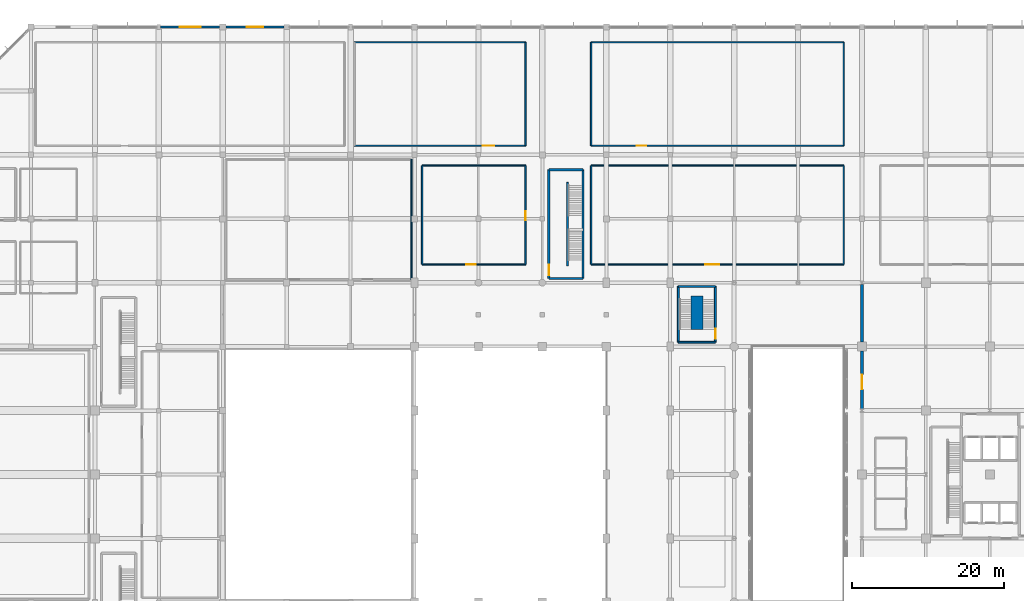
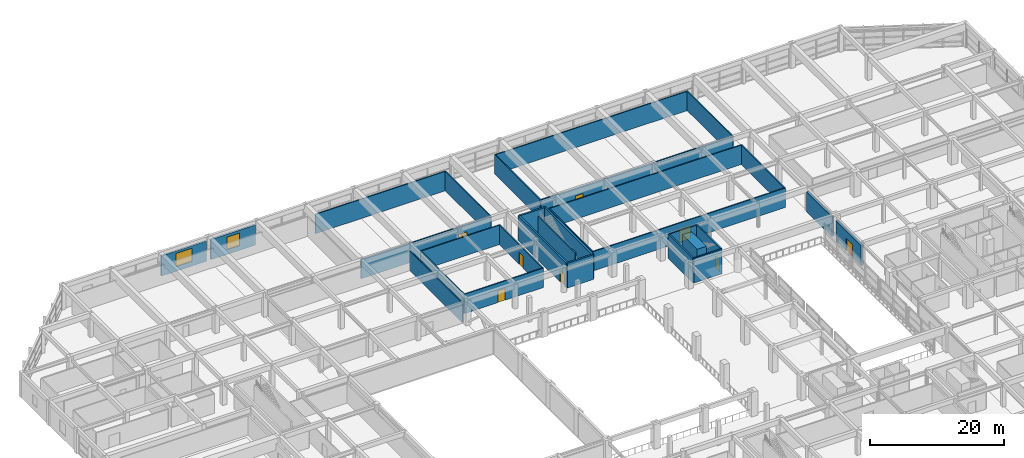
# One storey, part 54 of 65: 30 walls, 8 doors, 2 windows, 10 openings.
"""IFC4 building model written with IfcOpenShell, lengths in metres."""

from ifc_helpers import new_model, si_unit, direction, frame, frame_2d, origin, place, context, subcontext, project, spatial, rectangle, extrude, material, layer, layer_set, type_object, element, fill, save


model = new_model("IFC4")

# Units and contexts
model_context = context("Model", 3, precision=1e-05, world=origin(), true_north=direction((0.0, 1.0)))
body_context = subcontext(model_context, "Body", "Model", "MODEL_VIEW")
ifc_project = project(units=[si_unit("LENGTHUNIT", "METRE"), si_unit("AREAUNIT", "SQUARE_METRE"), si_unit("VOLUMEUNIT", "CUBIC_METRE"), si_unit("PLANEANGLEUNIT", "RADIAN"), si_unit("MASSUNIT", "GRAM", prefix="KILO")], contexts=[model_context])

# Site, building, storey
site_placement = place(None, origin())
site = spatial("IfcSite", under=ifc_project, at=site_placement, CompositionType="ELEMENT")
building_placement = place(site_placement, origin())
building = spatial("IfcBuilding", under=site, at=building_placement, Name="Xuanlan Plaza Opera House", CompositionType="ELEMENT")
storey_placement = place(building_placement, frame((0.0, 0.0, 5.39990234375)))
storey = spatial("IfcBuildingStorey", under=building, at=storey_placement, Name="L01", CompositionType="ELEMENT", Elevation=5.39990234375)

# Wall, opening, window
ifc_material_1 = material(Name="Anodised Aluminium 6063-T6 and Rockwool Cladding", Category="aluminium")
ifc_layer_1 = layer(ifc_material_1, 0.31005859375)
ifc_layer_set_1 = layer_set([ifc_layer_1], Name="Anodised Aluminium 6063-T6 and Rockwool Cladding")
wall_type_1 = type_object("IfcWallType", Name="ENV-WL-EW-04", PredefinedType="STANDARD", material=ifc_layer_set_1)
wall_1_placement = place(storey_placement, frame((50.050048828125, 117.60009765625, 0.0), z_axis=(0.0, 0.0, 1.0), x_axis=(-1.0, 0.0, 0.0)))
wall_1 = element("IfcWall", 1, at=wall_1_placement, inside=storey, type_object=wall_type_1, Name="Exterior Wall L01-043", PredefinedType="STANDARD", context=body_context, shape_type="SweptSolid", body=[
    extrude(rectangle(XDim=7.650146484375, YDim=0.31005859375, at=frame_2d((3.8251953125, 0.0))), origin(), (0.0, 0.0, 1.0), 3.68017578125),
])
opening_1_placement = place(wall_1_placement, frame((2.72509765625, 0.0, 0.85009765625)))
opening_1 = element("IfcOpeningElement", 2, at=opening_1_placement, cuts=wall_1, Name="Opening WN-10", PredefinedType="OPENING", context=body_context, shape_type="SweptSolid", body=[
    extrude(rectangle(XDim=2.199951171875, YDim=2.300048828125, at=frame_2d((1.10009765625, 1.14990234375))), frame((0.0, 0.1650390625, 0.0), z_axis=(0.0, -1.0, 0.0), x_axis=(1.0, 0.0, 0.0)), (0.0, 0.0, 1.0), 0.330078125),
])
ifc_material_2 = material(Name="Anodised Aluminium 6063-T6 and Low-E Glass", Category="aluminium")
window_type_1 = type_object("IfcWindowType", Name="ENV-WN-WN-10", PartitioningType="DOUBLE_PANEL_VERTICAL", PredefinedType="WINDOW", material=ifc_material_2)
window_1_placement = place(opening_1_placement, origin())
window_1 = element("IfcWindow", 3, at=window_1_placement, inside=storey, type_object=window_type_1, Name="Facade Window L01-043", OverallHeight=2.300048828125, OverallWidth=2.199951171875, PartitioningType="DOUBLE_PANEL_VERTICAL", PredefinedType="WINDOW", context=body_context, shape_type="SweptSolid", body=[
    extrude(rectangle(XDim=2.199951171875, YDim=2.300048828125, at=frame_2d((1.10009765625, 1.14990234375))), frame((0.0, 0.030029296875, 0.0), z_axis=(0.0, -1.0, 0.0), x_axis=(1.0, 0.0, 0.0)), (0.0, 0.0, 1.0), 0.06005859375),
])
fill(opening_1, window_1)

ifc_layer_2 = layer(ifc_material_1, 0.2900390625)
ifc_layer_set_2 = layer_set([ifc_layer_2], Name="Anodised Aluminium 6063-T6 and Rockwool Cladding")
wall_type_2 = type_object("IfcWallType", Name="ENV-WL-EW-05", PredefinedType="STANDARD", material=ifc_layer_set_2)
wall_2_placement = place(storey_placement, frame((41.60009765625, 117.60009765625, 0.0), z_axis=(0.0, 0.0, 1.0), x_axis=(-1.0, 0.0, 0.0)))
wall_2 = element("IfcWall", 4, at=wall_2_placement, inside=storey, type_object=wall_type_2, Name="Exterior Wall L01-044", PredefinedType="STANDARD", context=body_context, shape_type="SweptSolid", body=[
    extrude(rectangle(XDim=7.775146484375, YDim=0.2900390625, at=frame_2d((3.8876953125, 0.0))), origin(), (0.0, 0.0, 1.0), 3.68017578125),
])
opening_2_placement = place(wall_2_placement, frame((2.487060546875, 0.0, 0.85009765625)))
opening_2 = element("IfcOpeningElement", 5, at=opening_2_placement, cuts=wall_2, Name="Opening WN-11", PredefinedType="OPENING", context=body_context, shape_type="SweptSolid", body=[
    extrude(rectangle(XDim=2.800048828125, YDim=2.39990234375, at=frame_2d((1.39990234375, 1.199951171875))), frame((0.0, 0.155029296875, 0.0), z_axis=(0.0, -1.0, 0.0), x_axis=(1.0, 0.0, 0.0)), (0.0, 0.0, 1.0), 0.31005859375),
])
window_type_2 = type_object("IfcWindowType", Name="ENV-WN-WN-11", PartitioningType="TRIPLE_PANEL_VERTICAL", PredefinedType="WINDOW", material=ifc_material_2)
window_2_placement = place(opening_2_placement, origin())
window_2 = element("IfcWindow", 6, at=window_2_placement, inside=storey, type_object=window_type_2, Name="Facade Window L01-044", OverallHeight=2.39990234375, OverallWidth=2.800048828125, PartitioningType="TRIPLE_PANEL_VERTICAL", PredefinedType="WINDOW", context=body_context, shape_type="SweptSolid", body=[
    extrude(rectangle(XDim=2.800048828125, YDim=2.39990234375, at=frame_2d((1.39990234375, 1.199951171875))), frame((0.0, 0.030029296875, 0.0), z_axis=(0.0, -1.0, 0.0), x_axis=(1.0, 0.0, 0.0)), (0.0, 0.0, 1.0), 0.06005859375),
])
fill(opening_2, window_2)

# Wall
ifc_material_3 = material(Name="Gypsum Board and Galvanised Steel Studs", Category="gypsum")
ifc_layer_3 = layer(ifc_material_3, 0.179931640625)
ifc_layer_set_3 = layer_set([ifc_layer_3], Name="Gypsum Board and Galvanised Steel Studs")
wall_type_3 = type_object("IfcWallType", Name="INT-WL-PW-02", PredefinedType="PARTITIONING", material=ifc_layer_set_3)
wall_3_placement = place(storey_placement, frame((66.800048828125, 84.39990234375, 0.0), z_axis=(0.0, 0.0, 1.0), x_axis=(0.0, 1.0, 0.0)))
element("IfcWall", 7, at=wall_3_placement, inside=storey, type_object=wall_type_3, Name="Chorus Dressing Room North Wall East", PredefinedType="PARTITIONING", context=body_context, shape_type="SweptSolid", body=[
    extrude(rectangle(XDim=15.800048828125, YDim=0.179931640625, at=frame_2d((7.89990234375, 0.0))), origin(), (0.0, 0.0, 1.0), 3.5400390625),
])

# Wall, opening, door
wall_4_placement = place(storey_placement, frame((59.300048828125, 102.0, 0.0), z_axis=(0.0, 0.0, 1.0), x_axis=(1.0, 0.0, 0.0)))
wall_4 = element("IfcWall", 8, at=wall_4_placement, inside=storey, type_object=wall_type_3, Name="Historical Opera Wardrobe Archive Wall South", PredefinedType="PARTITIONING", context=body_context, shape_type="SweptSolid", body=[
    extrude(rectangle(XDim=22.5, YDim=0.179931640625, at=frame_2d((11.25, 0.0))), origin(), (0.0, 0.0, 1.0), 3.5400390625),
])
opening_3_placement = place(wall_4_placement, frame((16.85009765625, 0.0, 0.0)))
opening_3 = element("IfcOpeningElement", 9, at=opening_3_placement, cuts=wall_4, Name="Opening D-03", PredefinedType="OPENING", context=body_context, shape_type="SweptSolid", body=[
    extrude(rectangle(XDim=1.5, YDim=2.199951171875, at=frame_2d((0.75, 1.10009765625))), frame((0.0, 0.099853515625, 0.0), z_axis=(0.0, -1.0, 0.0), x_axis=(1.0, 0.0, 0.0)), (0.0, 0.0, 1.0), 0.199951171875),
])
ifc_material_4 = material(Name="Walnut Hardwood Timber", Category="wood")
door_type_1 = type_object("IfcDoorType", Name="INT-DR-D-03", OperationType="DOUBLE_DOOR_SINGLE_SWING", PredefinedType="DOOR", material=ifc_material_4)
door_1_placement = place(opening_3_placement, origin())
door_1 = element("IfcDoor", 10, at=door_1_placement, inside=storey, type_object=door_type_1, Name="Historical Opera Wardrobe Archive Door 1", OperationType="DOUBLE_DOOR_SINGLE_SWING", OverallHeight=2.199951171875, OverallWidth=1.5, PredefinedType="DOOR", context=body_context, shape_type="SweptSolid", body=[
    extrude(rectangle(XDim=1.5, YDim=2.199951171875, at=frame_2d((0.75, 1.10009765625))), frame((0.0, 0.02490234375, 0.0), z_axis=(0.0, -1.0, 0.0), x_axis=(1.0, 0.0, 0.0)), (0.0, 0.0, 1.0), 0.050048828125),
])
fill(opening_3, door_1)

# Walls
wall_5_placement = place(storey_placement, frame((59.300048828125, 115.60009765625, 0.0), z_axis=(0.0, 0.0, 1.0), x_axis=(1.0, 0.0, 0.0)))
element("IfcWall", 11, at=wall_5_placement, inside=storey, type_object=wall_type_3, Name="Historical Opera Wardrobe Archive Wall North", PredefinedType="PARTITIONING", context=body_context, shape_type="SweptSolid", body=[
    extrude(rectangle(XDim=22.5, YDim=0.179931640625, at=frame_2d((11.25, 0.0))), origin(), (0.0, 0.0, 1.0), 3.5400390625),
])
wall_6_placement = place(storey_placement, frame((81.800048828125, 102.0, 0.0), z_axis=(0.0, 0.0, 1.0), x_axis=(0.0, 1.0, 0.0)))
element("IfcWall", 12, at=wall_6_placement, inside=storey, type_object=wall_type_3, Name="Historical Opera Wardrobe Archive Wall East", PredefinedType="PARTITIONING", context=body_context, shape_type="SweptSolid", body=[
    extrude(rectangle(XDim=13.60009765625, YDim=0.179931640625, at=frame_2d((6.800048828125, 0.0))), origin(), (0.0, 0.0, 1.0), 3.5400390625),
])

# Wall, opening, door
wall_7_placement = place(storey_placement, frame((90.39990234375, 102.0, 0.0), z_axis=(0.0, 0.0, 1.0), x_axis=(1.0, 0.0, 0.0)))
wall_7 = element("IfcWall", 13, at=wall_7_placement, inside=storey, type_object=wall_type_3, Name="Orchestral Instrument Store Wall South", PredefinedType="PARTITIONING", context=body_context, shape_type="SweptSolid", body=[
    extrude(rectangle(XDim=33.2001953125, YDim=0.179931640625, at=frame_2d((16.60009765625, 0.0))), origin(), (0.0, 0.0, 1.0), 3.5400390625),
])
opening_4_placement = place(wall_7_placement, frame((6.0, 0.0, 0.0)))
opening_4 = element("IfcOpeningElement", 14, at=opening_4_placement, cuts=wall_7, Name="Opening D-11", PredefinedType="OPENING", context=body_context, shape_type="SweptSolid", body=[
    extrude(rectangle(XDim=1.280029296875, YDim=2.159912109375, at=frame_2d((0.64013671875, 1.080078125))), frame((0.0, 0.099853515625, 0.0), z_axis=(0.0, -1.0, 0.0), x_axis=(1.0, 0.0, 0.0)), (0.0, 0.0, 1.0), 0.199951171875),
])
door_type_2 = type_object("IfcDoorType", Name="INT-DR-D-11", OperationType="NOTDEFINED", PredefinedType="DOOR", material=ifc_material_4)
door_2_placement = place(opening_4_placement, origin())
door_2 = element("IfcDoor", 15, at=door_2_placement, inside=storey, type_object=door_type_2, Name="Orchestral Instrument Store Door 1", OperationType="SINGLE_SWING_LEFT", OverallHeight=2.159912109375, OverallWidth=1.280029296875, PredefinedType="DOOR", context=body_context, shape_type="SweptSolid", body=[
    extrude(rectangle(XDim=1.280029296875, YDim=2.159912109375, at=frame_2d((0.64013671875, 1.080078125))), frame((0.0, 0.02490234375, 0.0), z_axis=(0.0, -1.0, 0.0), x_axis=(1.0, 0.0, 0.0)), (0.0, 0.0, 1.0), 0.050048828125),
])
fill(opening_4, door_2)

# Walls
wall_8_placement = place(storey_placement, frame((90.39990234375, 115.60009765625, 0.0), z_axis=(0.0, 0.0, 1.0), x_axis=(1.0, 0.0, 0.0)))
element("IfcWall", 16, at=wall_8_placement, inside=storey, type_object=wall_type_3, Name="Orchestral Instrument Store Wall North", PredefinedType="PARTITIONING", context=body_context, shape_type="SweptSolid", body=[
    extrude(rectangle(XDim=33.2001953125, YDim=0.179931640625, at=frame_2d((16.60009765625, 0.0))), origin(), (0.0, 0.0, 1.0), 3.5400390625),
])
for number, where, z_axis, x_axis, name in (
    (17, (90.39990234375, 102.0, 0.0), (0.0, 0.0, 1.0), (0.0, 1.0, 0.0), "Orchestral Instrument Store Wall West"),
    (18, (123.60009765625, 102.0, 0.0), (0.0, 0.0, 1.0), (0.0, 1.0, 0.0), "Orchestral Instrument Store Wall East"),
):
    element("IfcWall", number, at=place(storey_placement, frame(where, z_axis=z_axis, x_axis=x_axis)), inside=storey, type_object=wall_type_3, Name=name, PredefinedType="PARTITIONING", context=body_context, shape_type="SweptSolid", body=[
        extrude(rectangle(XDim=13.60009765625, YDim=0.179931640625, at=frame_2d((6.800048828125, 0.0))), origin(), (0.0, 0.0, 1.0), 3.5400390625),
    ])

# Wall, opening, door
wall_9_placement = place(storey_placement, frame((68.199951171875, 86.39990234375, 0.0), z_axis=(0.0, 0.0, 1.0), x_axis=(1.0, 0.0, 0.0)))
wall_9 = element("IfcWall", 19, at=wall_9_placement, inside=storey, type_object=wall_type_3, Name="Principal Vocal Coaching Studio Wall South", PredefinedType="PARTITIONING", context=body_context, shape_type="SweptSolid", body=[
    extrude(rectangle(XDim=13.60009765625, YDim=0.179931640625, at=frame_2d((6.800048828125, 0.0))), origin(), (0.0, 0.0, 1.0), 3.5400390625),
])
opening_5_placement = place(wall_9_placement, frame((5.800048828125, 0.0, 0.0)))
opening_5 = element("IfcOpeningElement", 20, at=opening_5_placement, cuts=wall_9, Name="Opening D-05", PredefinedType="OPENING", context=body_context, shape_type="SweptSolid", body=[
    extrude(rectangle(XDim=1.219970703125, YDim=2.14990234375, at=frame_2d((0.60986328125, 1.074951171875))), frame((0.0, 0.099853515625, 0.0), z_axis=(0.0, -1.0, 0.0), x_axis=(1.0, 0.0, 0.0)), (0.0, 0.0, 1.0), 0.199951171875),
])
door_type_3 = type_object("IfcDoorType", Name="INT-DR-D-05", OperationType="NOTDEFINED", PredefinedType="DOOR", material=ifc_material_4)
door_3_placement = place(opening_5_placement, origin())
door_3 = element("IfcDoor", 21, at=door_3_placement, inside=storey, type_object=door_type_3, Name="Principal Vocal Coaching Studio Door 1", OperationType="SINGLE_SWING_LEFT", OverallHeight=2.14990234375, OverallWidth=1.219970703125, PredefinedType="DOOR", context=body_context, shape_type="SweptSolid", body=[
    extrude(rectangle(XDim=1.219970703125, YDim=2.14990234375, at=frame_2d((0.60986328125, 1.074951171875))), frame((0.0, 0.02490234375, 0.0), z_axis=(0.0, -1.0, 0.0), x_axis=(1.0, 0.0, 0.0)), (0.0, 0.0, 1.0), 0.050048828125),
])
fill(opening_5, door_3)

# Walls
wall_10_placement = place(storey_placement, frame((68.199951171875, 99.39990234375, 0.0), z_axis=(0.0, 0.0, 1.0), x_axis=(1.0, 0.0, 0.0)))
element("IfcWall", 22, at=wall_10_placement, inside=storey, type_object=wall_type_3, Name="Principal Vocal Coaching Studio Wall North", PredefinedType="PARTITIONING", context=body_context, shape_type="SweptSolid", body=[
    extrude(rectangle(XDim=13.60009765625, YDim=0.179931640625, at=frame_2d((6.800048828125, 0.0))), origin(), (0.0, 0.0, 1.0), 3.5400390625),
])
wall_11_placement = place(storey_placement, frame((68.199951171875, 86.39990234375, 0.0), z_axis=(0.0, 0.0, 1.0), x_axis=(0.0, 1.0, 0.0)))
element("IfcWall", 23, at=wall_11_placement, inside=storey, type_object=wall_type_3, Name="Principal Vocal Coaching Studio Wall West", PredefinedType="PARTITIONING", context=body_context, shape_type="SweptSolid", body=[
    extrude(rectangle(XDim=13.0, YDim=0.179931640625, at=frame_2d((6.5, 0.0))), origin(), (0.0, 0.0, 1.0), 3.5400390625),
])

# Wall, opening, door
wall_12_placement = place(storey_placement, frame((81.800048828125, 86.39990234375, 0.0), z_axis=(0.0, 0.0, 1.0), x_axis=(0.0, 1.0, 0.0)))
wall_12 = element("IfcWall", 24, at=wall_12_placement, inside=storey, type_object=wall_type_3, Name="Principal Vocal Coaching Studio Wall East", PredefinedType="PARTITIONING", context=body_context, shape_type="SweptSolid", body=[
    extrude(rectangle(XDim=13.0, YDim=0.179931640625, at=frame_2d((6.5, 0.0))), origin(), (0.0, 0.0, 1.0), 3.5400390625),
])
opening_6_placement = place(wall_12_placement, frame((5.800048828125, 0.0, 0.0)))
opening_6 = element("IfcOpeningElement", 25, at=opening_6_placement, cuts=wall_12, Name="Opening D-05", PredefinedType="OPENING", context=body_context, shape_type="SweptSolid", body=[
    extrude(rectangle(XDim=1.219970703125, YDim=2.14990234375, at=frame_2d((0.60986328125, 1.074951171875))), frame((0.0, 0.099853515625, 0.0), z_axis=(0.0, -1.0, 0.0), x_axis=(1.0, 0.0, 0.0)), (0.0, 0.0, 1.0), 0.199951171875),
])
door_4_placement = place(opening_6_placement, origin())
door_4 = element("IfcDoor", 26, at=door_4_placement, inside=storey, type_object=door_type_3, Name="Principal Vocal Coaching Studio Door 1", OperationType="SINGLE_SWING_RIGHT", OverallHeight=2.14990234375, OverallWidth=1.219970703125, PredefinedType="DOOR", context=body_context, shape_type="SweptSolid", body=[
    extrude(rectangle(XDim=1.219970703125, YDim=2.14990234375, at=frame_2d((0.60986328125, 1.074951171875))), frame((0.0, 0.02490234375, 0.0), z_axis=(0.0, -1.0, 0.0), x_axis=(1.0, 0.0, 0.0)), (0.0, 0.0, 1.0), 0.050048828125),
])
fill(opening_6, door_4)

wall_13_placement = place(storey_placement, frame((90.39990234375, 86.39990234375, 0.0), z_axis=(0.0, 0.0, 1.0), x_axis=(1.0, 0.0, 0.0)))
wall_13 = element("IfcWall", 27, at=wall_13_placement, inside=storey, type_object=wall_type_3, Name="Touring Production Equipment Store Wall South", PredefinedType="PARTITIONING", context=body_context, shape_type="SweptSolid", body=[
    extrude(rectangle(XDim=33.2001953125, YDim=0.179931640625, at=frame_2d((16.60009765625, 0.0))), origin(), (0.0, 0.0, 1.0), 3.5400390625),
])
opening_7_placement = place(wall_13_placement, frame((15.0, 0.0, 0.0)))
opening_7 = element("IfcOpeningElement", 28, at=opening_7_placement, cuts=wall_13, Name="Opening D-15", PredefinedType="OPENING", context=body_context, shape_type="SweptSolid", body=[
    extrude(rectangle(XDim=1.860107421875, YDim=2.260009765625, at=frame_2d((0.93017578125, 1.1298828125))), frame((0.0, 0.099853515625, 0.0), z_axis=(0.0, -1.0, 0.0), x_axis=(1.0, 0.0, 0.0)), (0.0, 0.0, 1.0), 0.199951171875),
])
door_type_4 = type_object("IfcDoorType", Name="INT-DR-D-15", OperationType="DOUBLE_DOOR_SINGLE_SWING", PredefinedType="DOOR", material=ifc_material_4)
door_5_placement = place(opening_7_placement, origin())
door_5 = element("IfcDoor", 29, at=door_5_placement, inside=storey, type_object=door_type_4, Name="Touring Production Equipment Store Door 1", OperationType="DOUBLE_DOOR_SINGLE_SWING", OverallHeight=2.260009765625, OverallWidth=1.860107421875, PredefinedType="DOOR", context=body_context, shape_type="SweptSolid", body=[
    extrude(rectangle(XDim=1.860107421875, YDim=2.260009765625, at=frame_2d((0.93017578125, 1.1298828125))), frame((0.0, 0.02490234375, 0.0), z_axis=(0.0, -1.0, 0.0), x_axis=(1.0, 0.0, 0.0)), (0.0, 0.0, 1.0), 0.050048828125),
])
fill(opening_7, door_5)

# Walls
wall_14_placement = place(storey_placement, frame((90.39990234375, 99.39990234375, 0.0), z_axis=(0.0, 0.0, 1.0), x_axis=(1.0, 0.0, 0.0)))
element("IfcWall", 30, at=wall_14_placement, inside=storey, type_object=wall_type_3, Name="Touring Production Equipment Store Wall North", PredefinedType="PARTITIONING", context=body_context, shape_type="SweptSolid", body=[
    extrude(rectangle(XDim=33.2001953125, YDim=0.179931640625, at=frame_2d((16.60009765625, 0.0))), origin(), (0.0, 0.0, 1.0), 3.5400390625),
])
for number, where, z_axis, x_axis, name in (
    (31, (90.39990234375, 86.39990234375, 0.0), (0.0, 0.0, 1.0), (0.0, 1.0, 0.0), "Touring Production Equipment Store Wall West"),
    (32, (123.60009765625, 86.39990234375, 0.0), (0.0, 0.0, 1.0), (0.0, 1.0, 0.0), "Touring Production Equipment Store Wall East"),
):
    element("IfcWall", number, at=place(storey_placement, frame(where, z_axis=z_axis, x_axis=x_axis)), inside=storey, type_object=wall_type_3, Name=name, PredefinedType="PARTITIONING", context=body_context, shape_type="SweptSolid", body=[
        extrude(rectangle(XDim=13.0, YDim=0.179931640625, at=frame_2d((6.5, 0.0))), origin(), (0.0, 0.0, 1.0), 3.5400390625),
    ])

# Wall, opening, door
ifc_material_5 = material(Name="Concrete C50", Category="concrete")
ifc_layer_4 = layer(ifc_material_5, 0.3798828125)
ifc_layer_set_4 = layer_set([ifc_layer_4], Name="Concrete C50")
wall_type_4 = type_object("IfcWallType", Name="INT-WL-SW-FW1", PredefinedType="SHEAR", material=ifc_layer_set_4)
wall_15_placement = place(storey_placement, frame((126.0, 67.406982421875, 0.0), z_axis=(0.0, 0.0, 1.0), x_axis=(0.0, 1.0, 0.0)))
wall_15 = element("IfcWall", 33, at=wall_15_placement, inside=storey, type_object=wall_type_4, Name="Opera-Tower Compartment Firewall L01-03", PredefinedType="SHEAR", context=body_context, shape_type="SweptSolid", body=[
    extrude(rectangle(XDim=7.593017578125, YDim=0.3798828125, at=frame_2d((3.79638671875, 0.0))), origin(), (0.0, 0.0, 1.0), 3.650146484375),
])
opening_8_placement = place(wall_15_placement, frame((2.574951171875, 0.0, 0.0)))
opening_8 = element("IfcOpeningElement", 34, at=opening_8_placement, cuts=wall_15, Name="Opening FD-04", PredefinedType="OPENING", context=body_context, shape_type="SweptSolid", body=[
    extrude(rectangle(XDim=1.949951171875, YDim=2.300048828125, at=frame_2d((0.97509765625, 1.14990234375))), frame((0.0, 0.199951171875, 0.0), z_axis=(0.0, -1.0, 0.0), x_axis=(1.0, 0.0, 0.0)), (0.0, 0.0, 1.0), 0.39990234375),
])
ifc_material_6 = material(Name="Galvanised Steel Q235B", Category="steel")
door_type_5 = type_object("IfcDoorType", Name="INT-DR-FD-04", OperationType="DOUBLE_DOOR_SINGLE_SWING", PredefinedType="DOOR", material=ifc_material_6)
door_6_placement = place(opening_8_placement, origin())
door_6 = element("IfcDoor", 35, at=door_6_placement, inside=storey, type_object=door_type_5, Name="Compartment Firewall Door L01-03", OperationType="DOUBLE_DOOR_SINGLE_SWING", OverallHeight=2.300048828125, OverallWidth=1.949951171875, PredefinedType="DOOR", context=body_context, shape_type="SweptSolid", body=[
    extrude(rectangle(XDim=1.949951171875, YDim=2.300048828125, at=frame_2d((0.97509765625, 1.14990234375))), frame((0.0, 0.02490234375, 0.0), z_axis=(0.0, -1.0, 0.0), x_axis=(1.0, 0.0, 0.0)), (0.0, 0.0, 1.0), 0.050048828125),
])
fill(opening_8, door_6)

# Walls
wall_16_placement = place(storey_placement, frame((126.0, 76.199951171875, 0.0), z_axis=(0.0, 0.0, 1.0), x_axis=(0.0, 1.0, 0.0)))
element("IfcWall", 36, at=wall_16_placement, inside=storey, type_object=wall_type_4, Name="Opera-Tower Compartment Firewall L01-04", PredefinedType="SHEAR", context=body_context, shape_type="SweptSolid", body=[
    extrude(rectangle(XDim=7.593017578125, YDim=0.3798828125, at=frame_2d((3.79638671875, 0.0))), origin(), (0.0, 0.0, 1.0), 3.650146484375),
])
ifc_layer_5 = layer(ifc_material_5, 1.60009765625)
ifc_layer_set_5 = layer_set([ifc_layer_5], Name="Concrete C50")
wall_type_5 = type_object("IfcWallType", Name="INT-WL-SW-SP2", PredefinedType="SHEAR", material=ifc_layer_set_5)
wall_17_placement = place(storey_placement, frame((104.300048828125, 77.8798828125, 0.0), z_axis=(0.0, 0.0, 1.0), x_axis=(0.0, 1.0, 0.0)))
element("IfcWall", 37, at=wall_17_placement, inside=storey, type_object=wall_type_5, Name="Half-Turn Stair Structural Spine Wall ST-F2 L01", PredefinedType="SHEAR", context=body_context, shape_type="SweptSolid", body=[
    extrude(rectangle(XDim=4.400146484375, YDim=1.60009765625, at=frame_2d((2.2001953125, 0.0))), origin(), (0.0, 0.0, 1.0), 4.5),
])
ifc_material_7 = material(Name="Concrete C40", Category="concrete")
ifc_layer_6 = layer(ifc_material_7, 0.199951171875)
ifc_layer_set_6 = layer_set([ifc_layer_6], Name="Concrete C40")
wall_type_6 = type_object("IfcWallType", Name="INT-WL-SW-SPN", PredefinedType="SHEAR", material=ifc_layer_set_6)
wall_18_placement = place(storey_placement, frame((87.300048828125, 86.199951171875, 0.0), z_axis=(0.0, 0.0, 1.0), x_axis=(0.0, 1.0, 0.0)))
element("IfcWall", 38, at=wall_18_placement, inside=storey, type_object=wall_type_6, Name="Stair Structural Spine Wall ST-P4 L01", PredefinedType="SHEAR", context=body_context, shape_type="SweptSolid", body=[
    extrude(rectangle(XDim=11.0, YDim=0.199951171875, at=frame_2d((5.5, 0.0))), origin(), (0.0, 0.0, 1.0), 4.5),
])
ifc_layer_7 = layer(ifc_material_7, 0.300048828125)
ifc_layer_set_7 = layer_set([ifc_layer_7], Name="Concrete C40")
wall_type_7 = type_object("IfcWallType", Name="INT-WL-SW-ST1", PredefinedType="SHEAR", material=ifc_layer_set_7)
for number, where, z_axis, x_axis, name in (
    (39, (84.85009765625, 84.550048828125, 0.0), (0.0, 0.0, 1.0), (1.0, 0.0, 0.0), "Stair Core Wall ST-P4 L01 South"),
    (40, (84.85009765625, 98.85009765625, 0.0), (0.0, 0.0, 1.0), (1.0, 0.0, 0.0), "Stair Core Wall ST-P4 L01 North"),
):
    element("IfcWall", number, at=place(storey_placement, frame(where, z_axis=z_axis, x_axis=x_axis)), inside=storey, type_object=wall_type_7, Name=name, PredefinedType="SHEAR", context=body_context, shape_type="SweptSolid", body=[
        extrude(rectangle(XDim=4.5, YDim=0.300048828125, at=frame_2d((2.25, 0.0))), origin(), (0.0, 0.0, 1.0), 4.5),
    ])

# Wall, opening, door
wall_19_placement = place(storey_placement, frame((84.85009765625, 84.550048828125, 0.0), z_axis=(0.0, 0.0, 1.0), x_axis=(0.0, 1.0, 0.0)))
wall_19 = element("IfcWall", 41, at=wall_19_placement, inside=storey, type_object=wall_type_7, Name="Stair Core Wall ST-P4 L01 West", PredefinedType="SHEAR", context=body_context, shape_type="SweptSolid", body=[
    extrude(rectangle(XDim=14.300048828125, YDim=0.300048828125, at=frame_2d((7.14990234375, 0.0))), origin(), (0.0, 0.0, 1.0), 4.5),
])
opening_9_placement = place(wall_19_placement, frame((0.449951171875, 0.0, 0.0)))
opening_9 = element("IfcOpeningElement", 42, at=opening_9_placement, cuts=wall_19, Name="Opening FD-ST2", PredefinedType="OPENING", context=body_context, shape_type="SweptSolid", body=[
    extrude(rectangle(XDim=1.35009765625, YDim=2.14990234375, at=frame_2d((0.675048828125, 1.074951171875))), frame((0.0, 0.159912109375, 0.0), z_axis=(0.0, -1.0, 0.0), x_axis=(1.0, 0.0, 0.0)), (0.0, 0.0, 1.0), 0.320068359375),
])
door_type_6 = type_object("IfcDoorType", Name="INT-DR-FD-ST2", OperationType="NOTDEFINED", PredefinedType="DOOR", material=ifc_material_6)
door_7_placement = place(opening_9_placement, frame((1.35009765625, 0.0, 0.0), z_axis=(0.0, 0.0, 1.0), x_axis=(-1.0, 0.0, 0.0)))
door_7 = element("IfcDoor", 43, at=door_7_placement, inside=storey, type_object=door_type_6, Name="Stair Enclosure Fire Door ST-P4 L01", OperationType="SINGLE_SWING_RIGHT", OverallHeight=2.14990234375, OverallWidth=1.35009765625, PredefinedType="DOOR", context=body_context, shape_type="SweptSolid", body=[
    extrude(rectangle(XDim=1.35009765625, YDim=2.14990234375, at=frame_2d((0.675048828125, 1.074951171875))), frame((0.0, 0.02490234375, 0.0), z_axis=(0.0, -1.0, 0.0), x_axis=(1.0, 0.0, 0.0)), (0.0, 0.0, 1.0), 0.050048828125),
])
fill(opening_9, door_7)

# Walls
wall_20_placement = place(storey_placement, frame((89.35009765625, 84.550048828125, 0.0), z_axis=(0.0, 0.0, 1.0), x_axis=(0.0, 1.0, 0.0)))
element("IfcWall", 44, at=wall_20_placement, inside=storey, type_object=wall_type_7, Name="Stair Core Wall ST-P4 L01 East", PredefinedType="SHEAR", context=body_context, shape_type="SweptSolid", body=[
    extrude(rectangle(XDim=14.300048828125, YDim=0.300048828125, at=frame_2d((7.14990234375, 0.0))), origin(), (0.0, 0.0, 1.0), 4.5),
])
ifc_layer_8 = layer(ifc_material_7, 0.25)
ifc_layer_set_8 = layer_set([ifc_layer_8], Name="Concrete C40")
wall_type_8 = type_object("IfcWallType", Name="INT-WL-SW-ST2", PredefinedType="SHEAR", material=ifc_layer_set_8)
for number, where, z_axis, x_axis, name in (
    (45, (101.875, 76.175048828125, 0.0), (0.0, 0.0, 1.0), (1.0, 0.0, 0.0), "Stair Core Wall ST-F2 L01 South"),
    (46, (101.875, 83.5048828125, 0.0), (0.0, 0.0, 1.0), (1.0, 0.0, 0.0), "Stair Core Wall ST-F2 L01 North"),
):
    element("IfcWall", number, at=place(storey_placement, frame(where, z_axis=z_axis, x_axis=x_axis)), inside=storey, type_object=wall_type_8, Name=name, PredefinedType="SHEAR", context=body_context, shape_type="SweptSolid", body=[
        extrude(rectangle(XDim=4.85009765625, YDim=0.25, at=frame_2d((2.425048828125, 0.0))), origin(), (0.0, 0.0, 1.0), 4.5),
    ])
wall_21_placement = place(storey_placement, frame((101.875, 76.175048828125, 0.0), z_axis=(0.0, 0.0, 1.0), x_axis=(0.0, 1.0, 0.0)))
element("IfcWall", 47, at=wall_21_placement, inside=storey, type_object=wall_type_8, Name="Stair Core Wall ST-F2 L01 West", PredefinedType="SHEAR", context=body_context, shape_type="SweptSolid", body=[
    extrude(rectangle(XDim=7.329833984375, YDim=0.25, at=frame_2d((3.6650390625, 0.0))), origin(), (0.0, 0.0, 1.0), 4.5),
])

# Wall, opening, door
wall_22_placement = place(storey_placement, frame((106.72509765625, 76.175048828125, 0.0), z_axis=(0.0, 0.0, 1.0), x_axis=(0.0, 1.0, 0.0)))
wall_22 = element("IfcWall", 48, at=wall_22_placement, inside=storey, type_object=wall_type_8, Name="Stair Core Wall ST-F2 L01 East", PredefinedType="SHEAR", context=body_context, shape_type="SweptSolid", body=[
    extrude(rectangle(XDim=7.329833984375, YDim=0.25, at=frame_2d((3.6650390625, 0.0))), origin(), (0.0, 0.0, 1.0), 4.5),
])
opening_10_placement = place(wall_22_placement, frame((0.449951171875, 0.0, 0.0)))
opening_10 = element("IfcOpeningElement", 49, at=opening_10_placement, cuts=wall_22, Name="Opening FD-ST2", PredefinedType="OPENING", context=body_context, shape_type="SweptSolid", body=[
    extrude(rectangle(XDim=1.35009765625, YDim=2.14990234375, at=frame_2d((0.675048828125, 1.074951171875))), frame((0.0, 0.135009765625, 0.0), z_axis=(0.0, -1.0, 0.0), x_axis=(1.0, 0.0, 0.0)), (0.0, 0.0, 1.0), 0.27001953125),
])
door_8_placement = place(opening_10_placement, origin())
door_8 = element("IfcDoor", 50, at=door_8_placement, inside=storey, type_object=door_type_6, Name="Stair Enclosure Fire Door ST-F2 L01", OperationType="SINGLE_SWING_RIGHT", OverallHeight=2.14990234375, OverallWidth=1.35009765625, PredefinedType="DOOR", context=body_context, shape_type="SweptSolid", body=[
    extrude(rectangle(XDim=1.35009765625, YDim=2.14990234375, at=frame_2d((0.675048828125, 1.074951171875))), frame((0.0, 0.02490234375, 0.0), z_axis=(0.0, -1.0, 0.0), x_axis=(1.0, 0.0, 0.0)), (0.0, 0.0, 1.0), 0.050048828125),
])
fill(opening_10, door_8)

save(model, "model.ifc")
